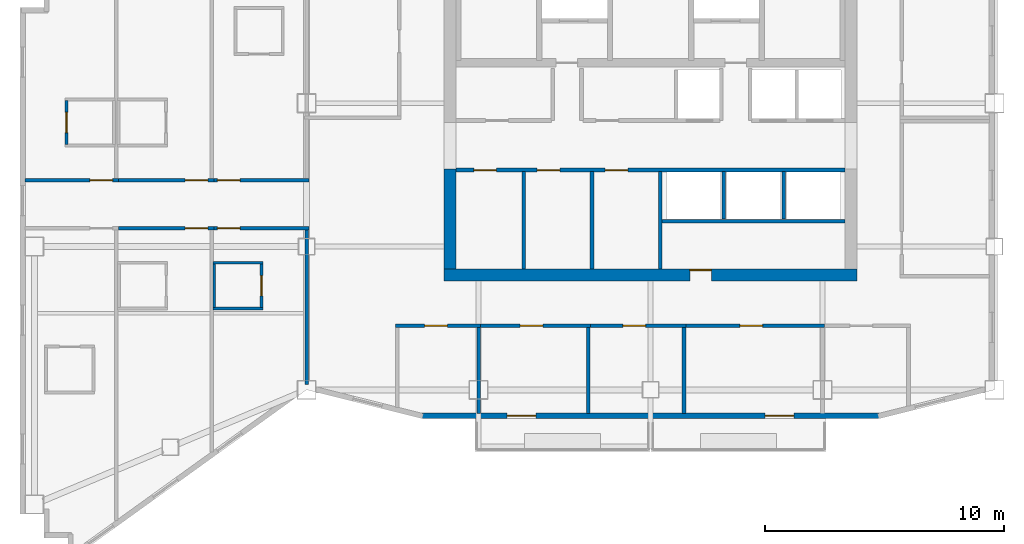
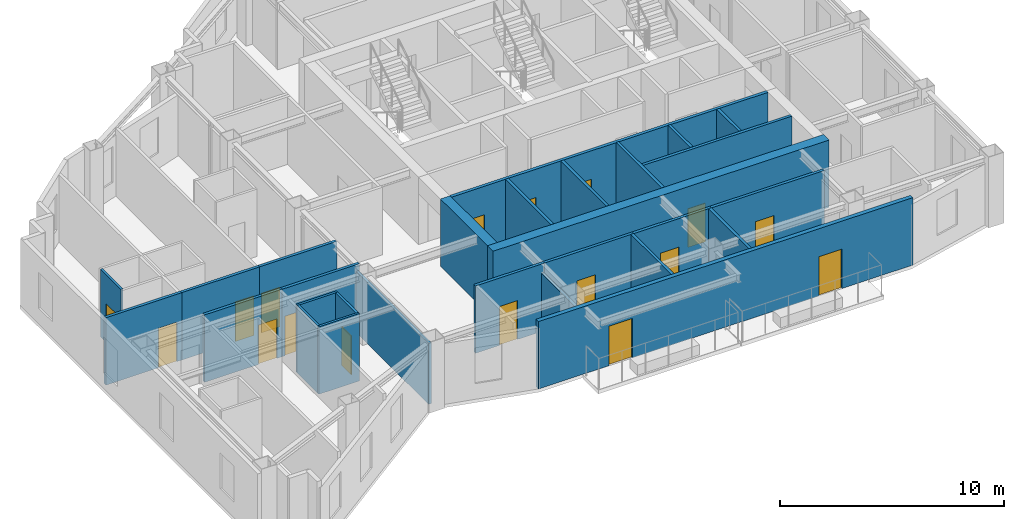
# One storey, part 5 of 11: 28 walls, 17 doors, 17 openings.
"""IFC4 building model written with IfcOpenShell, lengths in metres."""

from ifc_helpers import new_model, si_unit, direction, frame, frame_2d, origin, place, context, subcontext, project, spatial, rectangle, extrude, material, layer, layer_set, type_object, element, fill, save


model = new_model("IFC4")

# Units and contexts
model_context = context("Model", 3, precision=1e-05, world=origin(), true_north=direction((0.0, 1.0)))
body_context = subcontext(model_context, "Body", "Model", "MODEL_VIEW")
ifc_project = project(units=[si_unit("LENGTHUNIT", "METRE"), si_unit("AREAUNIT", "SQUARE_METRE"), si_unit("VOLUMEUNIT", "CUBIC_METRE"), si_unit("PLANEANGLEUNIT", "RADIAN"), si_unit("MASSUNIT", "GRAM", prefix="KILO")], contexts=[model_context])

# Site, building, storey
site_placement = place(None, origin())
site = spatial("IfcSite", under=ifc_project, at=site_placement, CompositionType="ELEMENT")
building_placement = place(site_placement, origin())
building = spatial("IfcBuilding", under=site, at=building_placement, Name="Haolan Belvedere Tower", CompositionType="ELEMENT")
storey_placement = place(building_placement, frame((0.0, 0.0, 250.60009765625)))
storey = spatial("IfcBuildingStorey", under=building, at=storey_placement, Name="L63", CompositionType="ELEMENT", Elevation=250.60009765625)

# Wall, opening, door
ifc_material_1 = material(Name="Concrete C50/60", Category="concrete")
ifc_layer_1 = layer(ifc_material_1, 0.5, Name="Concrete C50/60")
ifc_layer_set_1 = layer_set([ifc_layer_1], Name="Concrete C50/60")
wall_type_1 = type_object("IfcWallType", Name="WL-CORE-500", PredefinedType="SHEAR", material=ifc_layer_set_1)
wall_1_placement = place(storey_placement, frame((29.75, 26.39990234375, 0.0), z_axis=(0.0, 0.0, 1.0), x_axis=(1.0, 0.0, 0.0)))
wall_1 = element("IfcWall", 1, at=wall_1_placement, inside=storey, type_object=wall_type_1, Name="L63 central core south shear wall", PredefinedType="SHEAR", context=body_context, shape_type="SweptSolid", body=[
    extrude(rectangle(XDim=17.300048828125, YDim=0.5, at=frame_2d((8.64990234375, 0.0))), origin(), (0.0, 0.0, 1.0), 3.669921875),
])
opening_1_placement = place(wall_1_placement, frame((11.199951171875, 0.0, 0.0), z_axis=(0.0, 0.0, 1.0), x_axis=(-1.0, 0.0, 0.0)))
opening_1 = element("IfcOpeningElement", 2, at=opening_1_placement, cuts=wall_1, Name="Opening FD-05", PredefinedType="OPENING", context=body_context, shape_type="SweptSolid", body=[
    extrude(rectangle(XDim=0.89990234375, YDim=2.10009765625, at=frame_2d((0.449951171875, 1.050048828125))), frame((0.0, 0.260009765625, 0.0), z_axis=(0.0, -1.0, 0.0), x_axis=(1.0, 0.0, 0.0)), (0.0, 0.0, 1.0), 0.52001953125),
])
ifc_material_2 = material(Name="Galvanised fire-rated steel", Category="steel")
door_type_1 = type_object("IfcDoorType", Name="DR-FD60-900", OperationType="NOTDEFINED", PredefinedType="DOOR", material=ifc_material_2)
door_1_placement = place(opening_1_placement, origin())
door_1 = element("IfcDoor", 3, at=door_1_placement, inside=storey, type_object=door_type_1, Name="L63 door CD-L63-SCVE", OperationType="SINGLE_SWING_RIGHT", OverallHeight=2.10009765625, OverallWidth=0.89990234375, PredefinedType="DOOR", context=body_context, shape_type="SweptSolid", body=[
    extrude(rectangle(XDim=0.89990234375, YDim=2.10009765625, at=frame_2d((0.449951171875, 1.050048828125))), frame((0.0, -0.19482421875, 0.0), z_axis=(0.0, -1.0, 0.0), x_axis=(1.0, 0.0, 0.0)), (0.0, 0.0, 1.0), 0.050048828125),
])
fill(opening_1, door_1)

# Wall
wall_2_placement = place(storey_placement, frame((30.0, 26.64990234375, 0.0), z_axis=(0.0, 0.0, 1.0), x_axis=(0.0, 1.0, 0.0)))
element("IfcWall", 4, at=wall_2_placement, inside=storey, type_object=wall_type_1, Name="L63 central core shear wall WS", PredefinedType="SHEAR", context=body_context, shape_type="SweptSolid", body=[
    extrude(rectangle(XDim=4.2001953125, YDim=0.5, at=frame_2d((2.10009765625, 0.0))), origin(), (0.0, 0.0, 1.0), 3.669921875),
])

# Wall, openings, doors
ifc_material_3 = material(Name="Precast concrete C40/50", Category="concrete")
ifc_layer_2 = layer(ifc_material_3, 0.219970703125, Name="Precast concrete C40/50")
ifc_layer_set_2 = layer_set([ifc_layer_2], Name="Precast concrete C40/50")
wall_type_2 = type_object("IfcWallType", Name="WL-EXT-220", PredefinedType="SOLIDWALL", material=ifc_layer_set_2)
wall_3_placement = place(storey_placement, frame((28.758544921875, 20.510009765625, 0.0), z_axis=(0.0, 0.0, 1.0), x_axis=(1.0, 0.0, 0.0)))
wall_3 = element("IfcWall", 5, at=wall_3_placement, inside=storey, type_object=wall_type_2, Name="L63 pale-metal exterior spandrel wall 1.1", PredefinedType="SOLIDWALL", context=body_context, shape_type="SweptSolid", body=[
    extrude(rectangle(XDim=19.282958984375, YDim=0.219970703125, at=frame_2d((9.6416015625, 0.0))), origin(), (0.0, 0.0, 1.0), 3.669921875),
])
opening_2_placement = place(wall_3_placement, frame((4.841552734375, 0.0, 0.0), z_axis=(0.0, 0.0, 1.0), x_axis=(-1.0, 0.0, 0.0)))
opening_2 = element("IfcOpeningElement", 6, at=opening_2_placement, cuts=wall_3, Name="Opening BD-01", PredefinedType="OPENING", context=body_context, shape_type="SweptSolid", body=[
    extrude(rectangle(XDim=1.199951171875, YDim=2.14990234375, at=frame_2d((0.60009765625, 1.074951171875))), frame((0.0, 0.119873046875, 0.0), z_axis=(0.0, -1.0, 0.0), x_axis=(1.0, 0.0, 0.0)), (0.0, 0.0, 1.0), 0.239990234375),
])
opening_3_placement = place(wall_3_placement, frame((15.641357421875, 0.0, 0.0), z_axis=(0.0, 0.0, 1.0), x_axis=(-1.0, 0.0, 0.0)))
opening_3 = element("IfcOpeningElement", 7, at=opening_3_placement, cuts=wall_3, Name="Opening BD-01", PredefinedType="OPENING", context=body_context, shape_type="SweptSolid", body=[
    extrude(rectangle(XDim=1.199951171875, YDim=2.14990234375, at=frame_2d((0.60009765625, 1.074951171875))), frame((0.0, 0.119873046875, 0.0), z_axis=(0.0, -1.0, 0.0), x_axis=(1.0, 0.0, 0.0)), (0.0, 0.0, 1.0), 0.239990234375),
])
ifc_material_4 = material(Name="Thermally broken pale-metal aluminium and Low-E glass", Category="aluminium")
door_type_2 = type_object("IfcDoorType", Name="DR-BAL-1200", OperationType="NOTDEFINED", PredefinedType="DOOR", material=ifc_material_4)
door_2_placement = place(opening_2_placement, origin())
door_2 = element("IfcDoor", 8, at=door_2_placement, inside=storey, type_object=door_type_2, Name="L63 tree-balcony access door 1", OperationType="SINGLE_SWING_LEFT", OverallHeight=2.14990234375, OverallWidth=1.199951171875, PredefinedType="DOOR", context=body_context, shape_type="SweptSolid", body=[
    extrude(rectangle(XDim=1.199951171875, YDim=2.14990234375, at=frame_2d((0.60009765625, 1.074951171875))), frame((0.0, 0.02490234375, 0.0), z_axis=(0.0, -1.0, 0.0), x_axis=(1.0, 0.0, 0.0)), (0.0, 0.0, 1.0), 0.050048828125),
])
fill(opening_2, door_2)
door_3_placement = place(opening_3_placement, origin())
door_3 = element("IfcDoor", 9, at=door_3_placement, inside=storey, type_object=door_type_2, Name="L63 tree-balcony access door 2", OperationType="SINGLE_SWING_RIGHT", OverallHeight=2.14990234375, OverallWidth=1.199951171875, PredefinedType="DOOR", context=body_context, shape_type="SweptSolid", body=[
    extrude(rectangle(XDim=1.199951171875, YDim=2.14990234375, at=frame_2d((0.60009765625, 1.074951171875))), frame((0.0, 0.02490234375, 0.0), z_axis=(0.0, -1.0, 0.0), x_axis=(1.0, 0.0, 0.0)), (0.0, 0.0, 1.0), 0.050048828125),
])
fill(opening_3, door_3)

# Walls
ifc_material_5 = material(Name="Double gypsum acoustic stud partition", Category="masonry")
ifc_layer_3 = layer(ifc_material_5, 0.14990234375, Name="Double gypsum acoustic stud partition")
ifc_layer_set_3 = layer_set([ifc_layer_3], Name="Double gypsum acoustic stud partition")
wall_type_3 = type_object("IfcWallType", Name="WL-PART-150", PredefinedType="PARTITIONING", material=ifc_layer_set_3)
for number, where, z_axis, x_axis, name in (
    (10, (33.10009765625, 26.659912109375, 0.0), (0.0, 0.0, 1.0), (0.0, 1.0, 0.0), "L63 interior partition IW-L63-DIV-REUSE-PM1"),
    (11, (35.949951171875, 26.659912109375, 0.0), (0.0, 0.0, 1.0), (0.0, 1.0, 0.0), "L63 interior partition IW-L63-DIV-REUSE-PM2"),
):
    element("IfcWall", number, at=place(storey_placement, frame(where, z_axis=z_axis, x_axis=x_axis)), inside=storey, type_object=wall_type_3, Name=name, PredefinedType="PARTITIONING", context=body_context, shape_type="SweptSolid", body=[
        extrude(rectangle(XDim=4.0751953125, YDim=0.14990234375, at=frame_2d((2.03759765625, 0.0))), origin(), (0.0, 0.0, 1.0), 3.669921875),
    ])
wall_4_placement = place(storey_placement, frame((38.860107421875, 28.659912109375, 0.0), z_axis=(0.0, 0.0, 1.0), x_axis=(1.0, 0.0, 0.0)))
element("IfcWall", 12, at=wall_4_placement, inside=storey, type_object=wall_type_3, Name="L63 interior partition IW-L63-SSTRIP-E", PredefinedType="PARTITIONING", context=body_context, shape_type="SweptSolid", body=[
    extrude(rectangle(XDim=7.68994140625, YDim=0.14990234375, at=frame_2d((3.844970703125, 0.0))), origin(), (0.0, 0.0, 1.0), 3.669921875),
])

# Wall, opening, door
wall_5_placement = place(storey_placement, frame((27.719970703125, 24.280029296875, 0.0), z_axis=(0.0, 0.0, 1.0), x_axis=(1.0, 0.0, 0.0)))
wall_5 = element("IfcWall", 13, at=wall_5_placement, inside=storey, type_object=wall_type_3, Name="L63 interior partition IW-L63-KS2-N", PredefinedType="PARTITIONING", context=body_context, shape_type="SweptSolid", body=[
    extrude(rectangle(XDim=3.56005859375, YDim=0.14990234375, at=frame_2d((1.780029296875, 0.0))), origin(), (0.0, 0.0, 1.0), 3.669921875),
])
opening_4_placement = place(wall_5_placement, frame((2.175048828125, 0.0, 0.0), z_axis=(0.0, 0.0, 1.0), x_axis=(-1.0, 0.0, 0.0)))
opening_4 = element("IfcOpeningElement", 14, at=opening_4_placement, cuts=wall_5, Name="Opening ID-03", PredefinedType="OPENING", context=body_context, shape_type="SweptSolid", body=[
    extrude(rectangle(XDim=0.949951171875, YDim=2.1201171875, at=frame_2d((0.47509765625, 1.06005859375))), frame((0.0, 0.0849609375, 0.0), z_axis=(0.0, -1.0, 0.0), x_axis=(1.0, 0.0, 0.0)), (0.0, 0.0, 1.0), 0.169921875),
])
ifc_material_6 = material(Name="Painted solid-core timber", Category="wood")
door_type_3 = type_object("IfcDoorType", Name="DR-INT-950", OperationType="NOTDEFINED", PredefinedType="DOOR", material=ifc_material_6)
door_4_placement = place(opening_4_placement, origin())
door_4 = element("IfcDoor", 15, at=door_4_placement, inside=storey, type_object=door_type_3, Name="L63 door ID-L63-KS2", OperationType="SINGLE_SWING_RIGHT", OverallHeight=2.1201171875, OverallWidth=0.949951171875, PredefinedType="DOOR", context=body_context, shape_type="SweptSolid", body=[
    extrude(rectangle(XDim=0.949951171875, YDim=2.1201171875, at=frame_2d((0.47509765625, 1.06005859375))), frame((0.0, 0.02490234375, 0.0), z_axis=(0.0, -1.0, 0.0), x_axis=(1.0, 0.0, 0.0)), (0.0, 0.0, 1.0), 0.050048828125),
])
fill(opening_4, door_4)

# Wall
wall_6_placement = place(storey_placement, frame((31.199951171875, 20.612060546875, 0.0), z_axis=(0.0, 0.0, 1.0), x_axis=(0.0, 1.0, 0.0)))
element("IfcWall", 16, at=wall_6_placement, inside=storey, type_object=wall_type_3, Name="L63 interior partition IW-L63-KS2-E", PredefinedType="PARTITIONING", context=body_context, shape_type="SweptSolid", body=[
    extrude(rectangle(XDim=3.60791015625, YDim=0.14990234375, at=frame_2d((1.803955078125, 0.0))), origin(), (0.0, 0.0, 1.0), 3.15478515625),
])

# Wall, opening, door
wall_7_placement = place(storey_placement, frame((31.281982421875, 24.280029296875, 0.0), z_axis=(0.0, 0.0, 1.0), x_axis=(1.0, 0.0, 0.0)))
wall_7 = element("IfcWall", 17, at=wall_7_placement, inside=storey, type_object=wall_type_3, Name="L63 interior partition IW-L63-KS3-N", PredefinedType="PARTITIONING", context=body_context, shape_type="SweptSolid", body=[
    extrude(rectangle(XDim=4.597900390625, YDim=0.14990234375, at=frame_2d((2.298828125, 0.0))), origin(), (0.0, 0.0, 1.0), 3.669921875),
])
opening_5_placement = place(wall_7_placement, frame((2.613037109375, 0.0, 0.0), z_axis=(0.0, 0.0, 1.0), x_axis=(-1.0, 0.0, 0.0)))
opening_5 = element("IfcOpeningElement", 18, at=opening_5_placement, cuts=wall_7, Name="Opening ID-03", PredefinedType="OPENING", context=body_context, shape_type="SweptSolid", body=[
    extrude(rectangle(XDim=0.949951171875, YDim=2.1201171875, at=frame_2d((0.47509765625, 1.06005859375))), frame((0.0, 0.0849609375, 0.0), z_axis=(0.0, -1.0, 0.0), x_axis=(1.0, 0.0, 0.0)), (0.0, 0.0, 1.0), 0.169921875),
])
door_5_placement = place(opening_5_placement, origin())
door_5 = element("IfcDoor", 19, at=door_5_placement, inside=storey, type_object=door_type_3, Name="L63 door ID-L63-KS3", OperationType="SINGLE_SWING_LEFT", OverallHeight=2.1201171875, OverallWidth=0.949951171875, PredefinedType="DOOR", context=body_context, shape_type="SweptSolid", body=[
    extrude(rectangle(XDim=0.949951171875, YDim=2.1201171875, at=frame_2d((0.47509765625, 1.06005859375))), frame((0.0, 0.02490234375, 0.0), z_axis=(0.0, -1.0, 0.0), x_axis=(1.0, 0.0, 0.0)), (0.0, 0.0, 1.0), 0.050048828125),
])
fill(opening_5, door_5)

# Wall
wall_8_placement = place(storey_placement, frame((35.800048828125, 20.612060546875, 0.0), z_axis=(0.0, 0.0, 1.0), x_axis=(0.0, 1.0, 0.0)))
element("IfcWall", 20, at=wall_8_placement, inside=storey, type_object=wall_type_3, Name="L63 interior partition IW-L63-KS3-E", PredefinedType="PARTITIONING", context=body_context, shape_type="SweptSolid", body=[
    extrude(rectangle(XDim=3.60791015625, YDim=0.14990234375, at=frame_2d((1.803955078125, 0.0))), origin(), (0.0, 0.0, 1.0), 3.669921875),
])

# Wall, opening, door
wall_9_placement = place(storey_placement, frame((35.882080078125, 24.280029296875, 0.0), z_axis=(0.0, 0.0, 1.0), x_axis=(1.0, 0.0, 0.0)))
wall_9 = element("IfcWall", 21, at=wall_9_placement, inside=storey, type_object=wall_type_3, Name="L63 interior partition IW-L63-KS4-N", PredefinedType="PARTITIONING", context=body_context, shape_type="SweptSolid", body=[
    extrude(rectangle(XDim=3.997802734375, YDim=0.14990234375, at=frame_2d((1.9990234375, 0.0))), origin(), (0.0, 0.0, 1.0), 3.669921875),
])
opening_6_placement = place(wall_9_placement, frame((2.31298828125, 0.0, 0.0), z_axis=(0.0, 0.0, 1.0), x_axis=(-1.0, 0.0, 0.0)))
opening_6 = element("IfcOpeningElement", 22, at=opening_6_placement, cuts=wall_9, Name="Opening ID-03", PredefinedType="OPENING", context=body_context, shape_type="SweptSolid", body=[
    extrude(rectangle(XDim=0.949951171875, YDim=2.1201171875, at=frame_2d((0.47509765625, 1.06005859375))), frame((0.0, 0.0849609375, 0.0), z_axis=(0.0, -1.0, 0.0), x_axis=(1.0, 0.0, 0.0)), (0.0, 0.0, 1.0), 0.169921875),
])
door_6_placement = place(opening_6_placement, origin())
door_6 = element("IfcDoor", 23, at=door_6_placement, inside=storey, type_object=door_type_3, Name="L63 door ID-L63-KS4", OperationType="SINGLE_SWING_RIGHT", OverallHeight=2.1201171875, OverallWidth=0.949951171875, PredefinedType="DOOR", context=body_context, shape_type="SweptSolid", body=[
    extrude(rectangle(XDim=0.949951171875, YDim=2.1201171875, at=frame_2d((0.47509765625, 1.06005859375))), frame((0.0, 0.02490234375, 0.0), z_axis=(0.0, -1.0, 0.0), x_axis=(1.0, 0.0, 0.0)), (0.0, 0.0, 1.0), 0.050048828125),
])
fill(opening_6, door_6)

# Wall
wall_10_placement = place(storey_placement, frame((39.800048828125, 20.612060546875, 0.0), z_axis=(0.0, 0.0, 1.0), x_axis=(0.0, 1.0, 0.0)))
element("IfcWall", 24, at=wall_10_placement, inside=storey, type_object=wall_type_3, Name="L63 interior partition IW-L63-KS4-E", PredefinedType="PARTITIONING", context=body_context, shape_type="SweptSolid", body=[
    extrude(rectangle(XDim=3.60791015625, YDim=0.14990234375, at=frame_2d((1.803955078125, 0.0))), origin(), (0.0, 0.0, 1.0), 3.669921875),
])

# Wall, opening, door
wall_11_placement = place(storey_placement, frame((39.882080078125, 24.280029296875, 0.0), z_axis=(0.0, 0.0, 1.0), x_axis=(1.0, 0.0, 0.0)))
wall_11 = element("IfcWall", 25, at=wall_11_placement, inside=storey, type_object=wall_type_3, Name="L63 interior partition IW-L63-KS5-N", PredefinedType="PARTITIONING", context=body_context, shape_type="SweptSolid", body=[
    extrude(rectangle(XDim=5.7978515625, YDim=0.14990234375, at=frame_2d((2.89892578125, 0.0))), origin(), (0.0, 0.0, 1.0), 3.669921875),
])
opening_7_placement = place(wall_11_placement, frame((3.212890625, 0.0, 0.0), z_axis=(0.0, 0.0, 1.0), x_axis=(-1.0, 0.0, 0.0)))
opening_7 = element("IfcOpeningElement", 26, at=opening_7_placement, cuts=wall_11, Name="Opening ID-03", PredefinedType="OPENING", context=body_context, shape_type="SweptSolid", body=[
    extrude(rectangle(XDim=0.949951171875, YDim=2.1201171875, at=frame_2d((0.47509765625, 1.06005859375))), frame((0.0, 0.0849609375, 0.0), z_axis=(0.0, -1.0, 0.0), x_axis=(1.0, 0.0, 0.0)), (0.0, 0.0, 1.0), 0.169921875),
])
door_7_placement = place(opening_7_placement, origin())
door_7 = element("IfcDoor", 27, at=door_7_placement, inside=storey, type_object=door_type_3, Name="L63 door ID-L63-KS5", OperationType="SINGLE_SWING_LEFT", OverallHeight=2.1201171875, OverallWidth=0.949951171875, PredefinedType="DOOR", context=body_context, shape_type="SweptSolid", body=[
    extrude(rectangle(XDim=0.949951171875, YDim=2.1201171875, at=frame_2d((0.47509765625, 1.06005859375))), frame((0.0, 0.02490234375, 0.0), z_axis=(0.0, -1.0, 0.0), x_axis=(1.0, 0.0, 0.0)), (0.0, 0.0, 1.0), 0.050048828125),
])
fill(opening_7, door_7)

wall_12_placement = place(storey_placement, frame((12.2119140625, 30.3798828125, 0.0), z_axis=(0.0, 0.0, 1.0), x_axis=(1.0, 0.0, 0.0)))
wall_12 = element("IfcWall", 28, at=wall_12_placement, inside=storey, type_object=wall_type_3, Name="L63 interior partition IW-L63-T2N1-S", PredefinedType="PARTITIONING", context=body_context, shape_type="SweptSolid", body=[
    extrude(rectangle(XDim=3.91796875, YDim=0.14990234375, at=frame_2d((1.958984375, 0.0))), origin(), (0.0, 0.0, 1.0), 3.669921875),
])
opening_8_placement = place(wall_12_placement, frame((2.71337890625, 0.0, 0.0)))
opening_8 = element("IfcOpeningElement", 29, at=opening_8_placement, cuts=wall_12, Name="Opening ID-02", PredefinedType="OPENING", context=body_context, shape_type="SweptSolid", body=[
    extrude(rectangle(XDim=0.949951171875, YDim=2.14990234375, at=frame_2d((0.47509765625, 1.074951171875))), frame((0.0, 0.0849609375, 0.0), z_axis=(0.0, -1.0, 0.0), x_axis=(1.0, 0.0, 0.0)), (0.0, 0.0, 1.0), 0.169921875),
])
ifc_material_7 = material(Name="Acoustic oak veneer fire-rated timber", Category="wood")
door_type_4 = type_object("IfcDoorType", Name="DR-GUEST-950", OperationType="NOTDEFINED", PredefinedType="DOOR", material=ifc_material_7)
door_8_placement = place(opening_8_placement, origin())
door_8 = element("IfcDoor", 30, at=door_8_placement, inside=storey, type_object=door_type_4, Name="L63 door ID-L63-T2N1-ENT", OperationType="SINGLE_SWING_RIGHT", OverallHeight=2.14990234375, OverallWidth=0.949951171875, PredefinedType="DOOR", context=body_context, shape_type="SweptSolid", body=[
    extrude(rectangle(XDim=0.949951171875, YDim=2.14990234375, at=frame_2d((0.47509765625, 1.074951171875))), frame((0.0, 0.02490234375, 0.0), z_axis=(0.0, -1.0, 0.0), x_axis=(1.0, 0.0, 0.0)), (0.0, 0.0, 1.0), 0.050048828125),
])
fill(opening_8, door_8)

wall_13_placement = place(storey_placement, frame((16.132080078125, 30.3798828125, 0.0), z_axis=(0.0, 0.0, 1.0), x_axis=(1.0, 0.0, 0.0)))
wall_13 = element("IfcWall", 31, at=wall_13_placement, inside=storey, type_object=wall_type_3, Name="L63 interior partition IW-L63-T2N2-S", PredefinedType="PARTITIONING", context=body_context, shape_type="SweptSolid", body=[
    extrude(rectangle(XDim=3.988037109375, YDim=0.14990234375, at=frame_2d((1.994140625, 0.0))), origin(), (0.0, 0.0, 1.0), 3.669921875),
])
opening_9_placement = place(wall_13_placement, frame((2.781005859375, 0.0, 0.0)))
opening_9 = element("IfcOpeningElement", 32, at=opening_9_placement, cuts=wall_13, Name="Opening ID-02", PredefinedType="OPENING", context=body_context, shape_type="SweptSolid", body=[
    extrude(rectangle(XDim=0.949951171875, YDim=2.14990234375, at=frame_2d((0.47509765625, 1.074951171875))), frame((0.0, 0.0849609375, 0.0), z_axis=(0.0, -1.0, 0.0), x_axis=(1.0, 0.0, 0.0)), (0.0, 0.0, 1.0), 0.169921875),
])
door_9_placement = place(opening_9_placement, origin())
door_9 = element("IfcDoor", 33, at=door_9_placement, inside=storey, type_object=door_type_4, Name="L63 door ID-L63-T2N2-ENT", OperationType="SINGLE_SWING_LEFT", OverallHeight=2.14990234375, OverallWidth=0.949951171875, PredefinedType="DOOR", context=body_context, shape_type="SweptSolid", body=[
    extrude(rectangle(XDim=0.949951171875, YDim=2.14990234375, at=frame_2d((0.47509765625, 1.074951171875))), frame((0.0, 0.02490234375, 0.0), z_axis=(0.0, -1.0, 0.0), x_axis=(1.0, 0.0, 0.0)), (0.0, 0.0, 1.0), 0.050048828125),
])
fill(opening_9, door_9)

wall_14_placement = place(storey_placement, frame((20.1220703125, 30.3798828125, 0.0), z_axis=(0.0, 0.0, 1.0), x_axis=(1.0, 0.0, 0.0)))
wall_14 = element("IfcWall", 34, at=wall_14_placement, inside=storey, type_object=wall_type_3, Name="L63 interior partition IW-L63-T2N3-S", PredefinedType="PARTITIONING", context=body_context, shape_type="SweptSolid", body=[
    extrude(rectangle(XDim=3.97802734375, YDim=0.14990234375, at=frame_2d((1.989013671875, 0.0))), origin(), (0.0, 0.0, 1.0), 3.669921875),
])
opening_10_placement = place(wall_14_placement, frame((0.139892578125, 0.0, 0.0)))
opening_10 = element("IfcOpeningElement", 35, at=opening_10_placement, cuts=wall_14, Name="Opening ID-02", PredefinedType="OPENING", context=body_context, shape_type="SweptSolid", body=[
    extrude(rectangle(XDim=0.949951171875, YDim=2.14990234375, at=frame_2d((0.47509765625, 1.074951171875))), frame((0.0, 0.0849609375, 0.0), z_axis=(0.0, -1.0, 0.0), x_axis=(1.0, 0.0, 0.0)), (0.0, 0.0, 1.0), 0.169921875),
])
door_10_placement = place(opening_10_placement, origin())
door_10 = element("IfcDoor", 36, at=door_10_placement, inside=storey, type_object=door_type_4, Name="L63 door ID-L63-T2N3-ENT", OperationType="SINGLE_SWING_RIGHT", OverallHeight=2.14990234375, OverallWidth=0.949951171875, PredefinedType="DOOR", context=body_context, shape_type="SweptSolid", body=[
    extrude(rectangle(XDim=0.949951171875, YDim=2.14990234375, at=frame_2d((0.47509765625, 1.074951171875))), frame((0.0, 0.02490234375, 0.0), z_axis=(0.0, -1.0, 0.0), x_axis=(1.0, 0.0, 0.0)), (0.0, 0.0, 1.0), 0.050048828125),
])
fill(opening_10, door_10)

wall_15_placement = place(storey_placement, frame((16.132080078125, 28.3701171875, 0.0), z_axis=(0.0, 0.0, 1.0), x_axis=(1.0, 0.0, 0.0)))
wall_15 = element("IfcWall", 37, at=wall_15_placement, inside=storey, type_object=wall_type_3, Name="L63 interior partition IW-L63-T2S2-N", PredefinedType="PARTITIONING", context=body_context, shape_type="SweptSolid", body=[
    extrude(rectangle(XDim=3.988037109375, YDim=0.14990234375, at=frame_2d((1.994140625, 0.0))), origin(), (0.0, 0.0, 1.0), 3.669921875),
])
opening_11_placement = place(wall_15_placement, frame((3.73095703125, 0.0, 0.0), z_axis=(0.0, 0.0, 1.0), x_axis=(-1.0, 0.0, 0.0)))
opening_11 = element("IfcOpeningElement", 38, at=opening_11_placement, cuts=wall_15, Name="Opening ID-02", PredefinedType="OPENING", context=body_context, shape_type="SweptSolid", body=[
    extrude(rectangle(XDim=0.949951171875, YDim=2.14990234375, at=frame_2d((0.47509765625, 1.074951171875))), frame((0.0, 0.0849609375, 0.0), z_axis=(0.0, -1.0, 0.0), x_axis=(1.0, 0.0, 0.0)), (0.0, 0.0, 1.0), 0.169921875),
])
door_11_placement = place(opening_11_placement, origin())
door_11 = element("IfcDoor", 39, at=door_11_placement, inside=storey, type_object=door_type_4, Name="L63 door ID-L63-T2S2-ENT", OperationType="SINGLE_SWING_RIGHT", OverallHeight=2.14990234375, OverallWidth=0.949951171875, PredefinedType="DOOR", context=body_context, shape_type="SweptSolid", body=[
    extrude(rectangle(XDim=0.949951171875, YDim=2.14990234375, at=frame_2d((0.47509765625, 1.074951171875))), frame((0.0, 0.02490234375, 0.0), z_axis=(0.0, -1.0, 0.0), x_axis=(1.0, 0.0, 0.0)), (0.0, 0.0, 1.0), 0.050048828125),
])
fill(opening_11, door_11)

wall_16_placement = place(storey_placement, frame((20.1220703125, 28.3701171875, 0.0), z_axis=(0.0, 0.0, 1.0), x_axis=(1.0, 0.0, 0.0)))
wall_16 = element("IfcWall", 40, at=wall_16_placement, inside=storey, type_object=wall_type_3, Name="L63 interior partition IW-L63-T2S3-N", PredefinedType="PARTITIONING", context=body_context, shape_type="SweptSolid", body=[
    extrude(rectangle(XDim=3.97802734375, YDim=0.14990234375, at=frame_2d((1.989013671875, 0.0))), origin(), (0.0, 0.0, 1.0), 3.669921875),
])
opening_12_placement = place(wall_16_placement, frame((1.08984375, 0.0, 0.0), z_axis=(0.0, 0.0, 1.0), x_axis=(-1.0, 0.0, 0.0)))
opening_12 = element("IfcOpeningElement", 41, at=opening_12_placement, cuts=wall_16, Name="Opening ID-02", PredefinedType="OPENING", context=body_context, shape_type="SweptSolid", body=[
    extrude(rectangle(XDim=0.949951171875, YDim=2.14990234375, at=frame_2d((0.47509765625, 1.074951171875))), frame((0.0, 0.0849609375, 0.0), z_axis=(0.0, -1.0, 0.0), x_axis=(1.0, 0.0, 0.0)), (0.0, 0.0, 1.0), 0.169921875),
])
door_12_placement = place(opening_12_placement, origin())
door_12 = element("IfcDoor", 42, at=door_12_placement, inside=storey, type_object=door_type_4, Name="L63 door ID-L63-T2S3-ENT", OperationType="SINGLE_SWING_LEFT", OverallHeight=2.14990234375, OverallWidth=0.949951171875, PredefinedType="DOOR", context=body_context, shape_type="SweptSolid", body=[
    extrude(rectangle(XDim=0.949951171875, YDim=2.14990234375, at=frame_2d((0.47509765625, 1.074951171875))), frame((0.0, 0.02490234375, 0.0), z_axis=(0.0, -1.0, 0.0), x_axis=(1.0, 0.0, 0.0)), (0.0, 0.0, 1.0), 0.050048828125),
])
fill(opening_12, door_12)

# Wall
wall_17_placement = place(storey_placement, frame((24.0, 21.818603515625, 0.0), z_axis=(0.0, 0.0, 1.0), x_axis=(0.0, 1.0, 0.0)))
element("IfcWall", 43, at=wall_17_placement, inside=storey, type_object=wall_type_3, Name="L63 interior partition IW-L63-T2S3-E", PredefinedType="PARTITIONING", context=body_context, shape_type="SweptSolid", body=[
    extrude(rectangle(XDim=6.491455078125, YDim=0.14990234375, at=frame_2d((3.24560546875, 0.0))), origin(), (0.0, 0.0, 1.0), 3.31494140625),
])

# Wall, openings, doors
ifc_material_8 = material(Name="Gypsum fire shaftwall assembly", Category="masonry")
ifc_layer_4 = layer(ifc_material_8, 0.1650390625, Name="Gypsum fire shaftwall assembly")
ifc_layer_set_4 = layer_set([ifc_layer_4], Name="Gypsum fire shaftwall assembly")
wall_type_4 = type_object("IfcWallType", Name="WL-SHAFT-160", PredefinedType="SOLIDWALL", material=ifc_layer_set_4)
wall_18_placement = place(storey_placement, frame((30.25, 30.800048828125, 0.0), z_axis=(0.0, 0.0, 1.0), x_axis=(1.0, 0.0, 0.0)))
wall_18 = element("IfcWall", 44, at=wall_18_placement, inside=storey, type_object=wall_type_4, Name="L63 interior partition IW-L63-ROW-PS", PredefinedType="SOLIDWALL", context=body_context, shape_type="SweptSolid", body=[
    extrude(rectangle(XDim=16.300048828125, YDim=0.159912109375, at=frame_2d((8.14990234375, 0.0))), origin(), (0.0, 0.0, 1.0), 3.669921875),
])
opening_13_placement = place(wall_18_placement, frame((0.75, 0.0, 0.0)))
opening_13 = element("IfcOpeningElement", 45, at=opening_13_placement, cuts=wall_18, Name="Opening ID-03", PredefinedType="OPENING", context=body_context, shape_type="SweptSolid", body=[
    extrude(rectangle(XDim=0.949951171875, YDim=2.1201171875, at=frame_2d((0.47509765625, 1.06005859375))), frame((0.0, 0.08984375, 0.0), z_axis=(0.0, -1.0, 0.0), x_axis=(1.0, 0.0, 0.0)), (0.0, 0.0, 1.0), 0.179931640625),
])
opening_14_placement = place(wall_18_placement, frame((3.39990234375, 0.0, 0.0)))
opening_14 = element("IfcOpeningElement", 46, at=opening_14_placement, cuts=wall_18, Name="Opening ID-03", PredefinedType="OPENING", context=body_context, shape_type="SweptSolid", body=[
    extrude(rectangle(XDim=0.949951171875, YDim=2.1201171875, at=frame_2d((0.47509765625, 1.06005859375))), frame((0.0, 0.08984375, 0.0), z_axis=(0.0, -1.0, 0.0), x_axis=(1.0, 0.0, 0.0)), (0.0, 0.0, 1.0), 0.179931640625),
])
opening_15_placement = place(wall_18_placement, frame((6.25, 0.0, 0.0)))
opening_15 = element("IfcOpeningElement", 47, at=opening_15_placement, cuts=wall_18, Name="Opening ID-03", PredefinedType="OPENING", context=body_context, shape_type="SweptSolid", body=[
    extrude(rectangle(XDim=0.949951171875, YDim=2.1201171875, at=frame_2d((0.47509765625, 1.06005859375))), frame((0.0, 0.08984375, 0.0), z_axis=(0.0, -1.0, 0.0), x_axis=(1.0, 0.0, 0.0)), (0.0, 0.0, 1.0), 0.179931640625),
])
door_13_placement = place(opening_13_placement, origin())
door_13 = element("IfcDoor", 48, at=door_13_placement, inside=storey, type_object=door_type_3, Name="L63 door ID-L63-CD-RPMA", OperationType="SINGLE_SWING_LEFT", OverallHeight=2.1201171875, OverallWidth=0.949951171875, PredefinedType="DOOR", context=body_context, shape_type="SweptSolid", body=[
    extrude(rectangle(XDim=0.949951171875, YDim=2.1201171875, at=frame_2d((0.47509765625, 1.06005859375))), frame((0.0, 0.02490234375, 0.0), z_axis=(0.0, -1.0, 0.0), x_axis=(1.0, 0.0, 0.0)), (0.0, 0.0, 1.0), 0.050048828125),
])
fill(opening_13, door_13)
door_14_placement = place(opening_14_placement, origin())
door_14 = element("IfcDoor", 49, at=door_14_placement, inside=storey, type_object=door_type_3, Name="L63 door ID-L63-CD-RPMB", OperationType="SINGLE_SWING_RIGHT", OverallHeight=2.1201171875, OverallWidth=0.949951171875, PredefinedType="DOOR", context=body_context, shape_type="SweptSolid", body=[
    extrude(rectangle(XDim=0.949951171875, YDim=2.1201171875, at=frame_2d((0.47509765625, 1.06005859375))), frame((0.0, 0.02490234375, 0.0), z_axis=(0.0, -1.0, 0.0), x_axis=(1.0, 0.0, 0.0)), (0.0, 0.0, 1.0), 0.050048828125),
])
fill(opening_14, door_14)
door_15_placement = place(opening_15_placement, origin())
door_15 = element("IfcDoor", 50, at=door_15_placement, inside=storey, type_object=door_type_3, Name="L63 door ID-L63-CD-RPMC", OperationType="SINGLE_SWING_LEFT", OverallHeight=2.1201171875, OverallWidth=0.949951171875, PredefinedType="DOOR", context=body_context, shape_type="SweptSolid", body=[
    extrude(rectangle(XDim=0.949951171875, YDim=2.1201171875, at=frame_2d((0.47509765625, 1.06005859375))), frame((0.0, 0.02490234375, 0.0), z_axis=(0.0, -1.0, 0.0), x_axis=(1.0, 0.0, 0.0)), (0.0, 0.0, 1.0), 0.050048828125),
])
fill(opening_15, door_15)

# Walls
wall_19_placement = place(storey_placement, frame((38.800048828125, 26.659912109375, 0.0), z_axis=(0.0, 0.0, 1.0), x_axis=(0.0, 1.0, 0.0)))
element("IfcWall", 51, at=wall_19_placement, inside=storey, type_object=wall_type_4, Name="L63 interior partition IW-L63-DIV-PM-OB", PredefinedType="SOLIDWALL", context=body_context, shape_type="SweptSolid", body=[
    extrude(rectangle(XDim=4.0751953125, YDim=0.14990234375, at=frame_2d((2.03759765625, 0.0))), origin(), (0.0, 0.0, 1.0), 3.669921875),
])
for number, where, z_axis, x_axis, name in (
    (52, (41.469970703125, 28.75, 0.0), (0.0, 0.0, 1.0), (0.0, 1.0, 0.0), "L63 interior partition IW-L63-DIV-OB1"),
    (53, (43.97998046875, 28.75, 0.0), (0.0, 0.0, 1.0), (0.0, 1.0, 0.0), "L63 interior partition IW-L63-DIV-OB2"),
):
    element("IfcWall", number, at=place(storey_placement, frame(where, z_axis=z_axis, x_axis=x_axis)), inside=storey, type_object=wall_type_4, Name=name, PredefinedType="SOLIDWALL", context=body_context, shape_type="SweptSolid", body=[
        extrude(rectangle(XDim=1.985107421875, YDim=0.14990234375, at=frame_2d((0.99267578125, 0.0))), origin(), (0.0, 0.0, 1.0), 3.669921875),
    ])

# Wall, opening, door
ifc_material_9 = material(Name="Moisture-resistant gypsum tile partition", Category="masonry")
ifc_layer_5 = layer(ifc_material_9, 0.1201171875, Name="Moisture-resistant gypsum tile partition")
ifc_layer_set_5 = layer_set([ifc_layer_5], Name="Moisture-resistant gypsum tile partition")
wall_type_5 = type_object("IfcWallType", Name="WL-WET-120", PredefinedType="PARTITIONING", material=ifc_layer_set_5)
wall_20_placement = place(storey_placement, frame((13.949951171875, 31.875, 0.0), z_axis=(0.0, 0.0, 1.0), x_axis=(0.0, 1.0, 0.0)))
wall_20 = element("IfcWall", 54, at=wall_20_placement, inside=storey, type_object=wall_type_5, Name="L63 interior partition IW-L63-T2N1-BW", PredefinedType="PARTITIONING", context=body_context, shape_type="SweptSolid", body=[
    extrude(rectangle(XDim=1.830078125, YDim=0.1201171875, at=frame_2d((0.9150390625, 0.0))), origin(), (0.0, 0.0, 1.0), 3.669921875),
])
opening_16_placement = place(wall_20_placement, frame((1.340087890625, 0.0, 0.0), z_axis=(0.0, 0.0, 1.0), x_axis=(-1.0, 0.0, 0.0)))
opening_16 = element("IfcOpeningElement", 55, at=opening_16_placement, cuts=wall_20, Name="Opening ID-05", PredefinedType="OPENING", context=body_context, shape_type="SweptSolid", body=[
    extrude(rectangle(XDim=0.85009765625, YDim=2.10009765625, at=frame_2d((0.425048828125, 1.050048828125))), frame((0.0, 0.070068359375, 0.0), z_axis=(0.0, -1.0, 0.0), x_axis=(1.0, 0.0, 0.0)), (0.0, 0.0, 1.0), 0.14013671875),
])
ifc_material_10 = material(Name="Moisture-resistant lacquered timber", Category="wood")
door_type_5 = type_object("IfcDoorType", Name="DR-BATH-850", OperationType="NOTDEFINED", PredefinedType="DOOR", material=ifc_material_10)
door_16_placement = place(opening_16_placement, origin())
door_16 = element("IfcDoor", 56, at=door_16_placement, inside=storey, type_object=door_type_5, Name="L63 door ID-L63-T2N1-BATH", OperationType="SINGLE_SWING_LEFT", OverallHeight=2.10009765625, OverallWidth=0.85009765625, PredefinedType="DOOR", context=body_context, shape_type="SweptSolid", body=[
    extrude(rectangle(XDim=0.85009765625, YDim=2.10009765625, at=frame_2d((0.425048828125, 1.050048828125))), frame((0.0, 0.02490234375, 0.0), z_axis=(0.0, -1.0, 0.0), x_axis=(1.0, 0.0, 0.0)), (0.0, 0.0, 1.0), 0.050048828125),
])
fill(opening_16, door_16)

# Walls
for number, where, z_axis, x_axis, name in (
    (57, (20.080078125, 26.919921875, 0.0), (0.0, 0.0, 1.0), (1.0, 0.0, 0.0), "L63 interior partition IW-L63-T2S3-BN"),
    (58, (20.080078125, 25.0, 0.0), (0.0, 0.0, 1.0), (1.0, 0.0, 0.0), "L63 interior partition IW-L63-T2S3-BS"),
):
    element("IfcWall", number, at=place(storey_placement, frame(where, z_axis=z_axis, x_axis=x_axis)), inside=storey, type_object=wall_type_5, Name=name, PredefinedType="PARTITIONING", context=body_context, shape_type="SweptSolid", body=[
        extrude(rectangle(XDim=2.094970703125, YDim=0.1201171875, at=frame_2d((1.04736328125, 0.0))), origin(), (0.0, 0.0, 1.0), 3.669921875),
    ])
wall_21_placement = place(storey_placement, frame((20.135009765625, 25.044921875, 0.0), z_axis=(0.0, 0.0, 1.0), x_axis=(0.0, 1.0, 0.0)))
element("IfcWall", 59, at=wall_21_placement, inside=storey, type_object=wall_type_5, Name="L63 interior partition IW-L63-T2S3-BW", PredefinedType="PARTITIONING", context=body_context, shape_type="SweptSolid", body=[
    extrude(rectangle(XDim=1.830078125, YDim=0.1201171875, at=frame_2d((0.9150390625, 0.0))), origin(), (0.0, 0.0, 1.0), 3.669921875),
])

# Wall, opening, door
wall_22_placement = place(storey_placement, frame((22.114990234375, 25.044921875, 0.0), z_axis=(0.0, 0.0, 1.0), x_axis=(0.0, 1.0, 0.0)))
wall_22 = element("IfcWall", 60, at=wall_22_placement, inside=storey, type_object=wall_type_5, Name="L63 interior partition IW-L63-T2S3-BE", PredefinedType="PARTITIONING", context=body_context, shape_type="SweptSolid", body=[
    extrude(rectangle(XDim=1.830078125, YDim=0.1201171875, at=frame_2d((0.9150390625, 0.0))), origin(), (0.0, 0.0, 1.0), 3.669921875),
])
opening_17_placement = place(wall_22_placement, frame((0.489990234375, 0.0, 0.0)))
opening_17 = element("IfcOpeningElement", 61, at=opening_17_placement, cuts=wall_22, Name="Opening ID-05", PredefinedType="OPENING", context=body_context, shape_type="SweptSolid", body=[
    extrude(rectangle(XDim=0.85009765625, YDim=2.10009765625, at=frame_2d((0.425048828125, 1.050048828125))), frame((0.0, 0.070068359375, 0.0), z_axis=(0.0, -1.0, 0.0), x_axis=(1.0, 0.0, 0.0)), (0.0, 0.0, 1.0), 0.14013671875),
])
door_17_placement = place(opening_17_placement, origin())
door_17 = element("IfcDoor", 62, at=door_17_placement, inside=storey, type_object=door_type_5, Name="L63 door ID-L63-T2S3-BATH", OperationType="SINGLE_SWING_RIGHT", OverallHeight=2.10009765625, OverallWidth=0.85009765625, PredefinedType="DOOR", context=body_context, shape_type="SweptSolid", body=[
    extrude(rectangle(XDim=0.85009765625, YDim=2.10009765625, at=frame_2d((0.425048828125, 1.050048828125))), frame((0.0, 0.02490234375, 0.0), z_axis=(0.0, -1.0, 0.0), x_axis=(1.0, 0.0, 0.0)), (0.0, 0.0, 1.0), 0.050048828125),
])
fill(opening_17, door_17)

save(model, "model.ifc")
